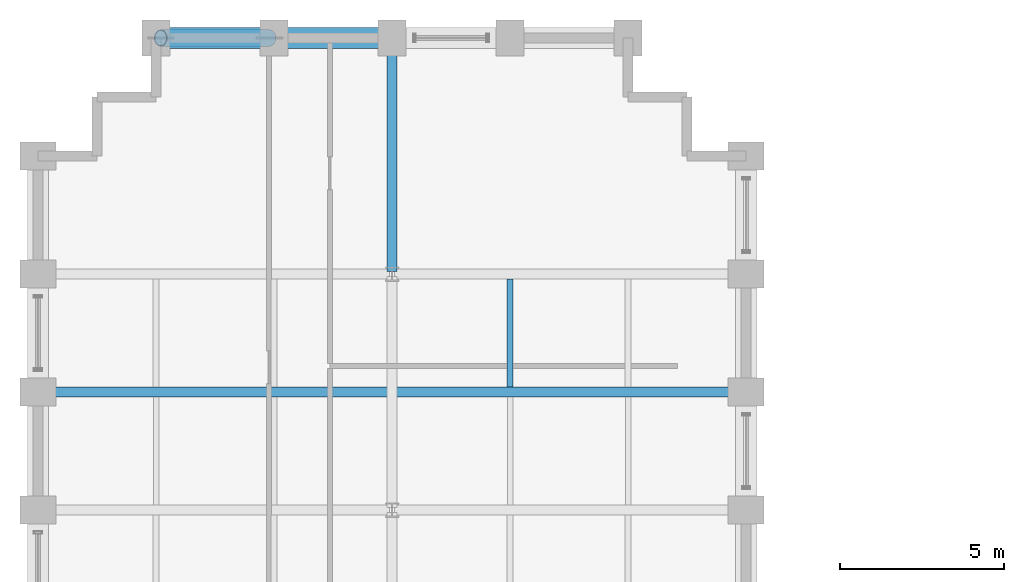
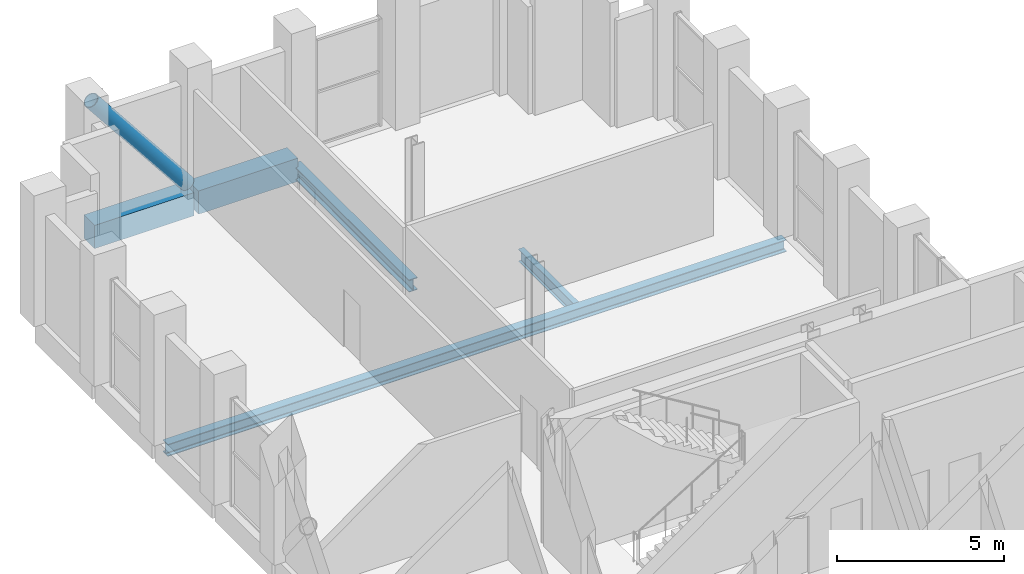
# One storey, part 15 of 22: 5 beams, 1 member.
"""IFC4 building model written with IfcOpenShell, lengths in metres."""

from ifc_helpers import new_model, si_unit, direction, frame, origin, origin_2d, place, context, subcontext, project, spatial, rectangle, hollow_circle, i_section, extrude, material, material_profile, profile_set, type_object, element, save


model = new_model("IFC4")

# Units and contexts
model_context = context("Model", 3, precision=1e-05, world=origin(), true_north=direction((0.0, 1.0)))
body_context = subcontext(model_context, "Body", "Model", "MODEL_VIEW")
ifc_project = project(units=[si_unit("LENGTHUNIT", "METRE"), si_unit("AREAUNIT", "SQUARE_METRE"), si_unit("VOLUMEUNIT", "CUBIC_METRE"), si_unit("PLANEANGLEUNIT", "RADIAN"), si_unit("MASSUNIT", "GRAM", prefix="KILO")], contexts=[model_context])

# Site, building, storey
site_placement = place(None, origin())
site = spatial("IfcSite", under=ifc_project, at=site_placement, CompositionType="ELEMENT")
building_placement = place(site_placement, origin())
building = spatial("IfcBuilding", under=site, at=building_placement, Name="Solnavia Interchange Tower", CompositionType="ELEMENT")
storey_placement = place(building_placement, frame((0.0, 0.0, 115.199951171875)))
storey = spatial("IfcBuildingStorey", under=building, at=storey_placement, Name="L28", CompositionType="ELEMENT", Elevation=115.199951171875)

# Beams
ifc_material_1 = material(Name="Steel S460", Category="steel")
ifc_material_profile_1 = material_profile(ifc_material_1, i_section(OverallWidth=0.300048828125, OverallDepth=0.449951171875, WebThickness=0.013916015625, FlangeThickness=0.02587890625, FilletRadius=0.027099609375, at=origin_2d()), Name="HEB 450")
ifc_profile_set_1 = profile_set([ifc_material_profile_1], Name="Steel S460")
beam_type_1 = type_object("IfcBeamType", Name="Beam-Girder-HEB450", PredefinedType="BEAM", material=ifc_profile_set_1)
beam_1_placement = place(storey_placement, frame((18.0, 39.679931640625, -0.544921875), z_axis=(0.0, 1.0, 0.0), x_axis=(-1.0, 0.0, 0.0)))
element("IfcBeam", 1, at=beam_1_placement, inside=storey, type_object=beam_type_1, Name="GRD-L28-NS13 North wing spine girder", PredefinedType="BEAM", context=body_context, shape_type="SweptSolid", body=[
    extrude(i_section(OverallWidth=0.300048828125, OverallDepth=0.449951171875, WebThickness=0.013916015625, FlangeThickness=0.02587890625, FilletRadius=0.027099609375, at=origin_2d()), origin(), (0.0, 0.0, 1.0), 7.0400390625),
])
ifc_material_2 = material(Name="Steel S355", Category="steel")
ifc_material_profile_2 = material_profile(ifc_material_2, i_section(OverallWidth=0.18994140625, OverallDepth=0.449951171875, WebThickness=0.009521484375, FlangeThickness=0.0146484375, FilletRadius=0.02099609375, at=origin_2d()), Name="IPE 450")
ifc_profile_set_2 = profile_set([ifc_material_profile_2], Name="Steel S355")
beam_type_2 = type_object("IfcBeamType", Name="Beam-Joist-IPE450", PredefinedType="JOIST", material=ifc_profile_set_2)
beam_2_placement = place(storey_placement, frame((21.60009765625, 36.14990234375, -0.544921875), z_axis=(0.0, 1.0, 0.0), x_axis=(-1.0, 0.0, 0.0)))
element("IfcBeam", 2, at=beam_2_placement, inside=storey, type_object=beam_type_2, Name="JST-L28-N25 North wing secondary joist", PredefinedType="JOIST", context=body_context, shape_type="SweptSolid", body=[
    extrude(i_section(OverallWidth=0.18994140625, OverallDepth=0.449951171875, WebThickness=0.009521484375, FlangeThickness=0.0146484375, FilletRadius=0.02099609375, at=origin_2d()), origin(), (0.0, 0.0, 1.0), 3.300048828125),
])
ifc_material_profile_3 = material_profile(ifc_material_2, i_section(OverallWidth=0.300048828125, OverallDepth=0.43994140625, WebThickness=0.011474609375, FlangeThickness=0.02099609375, FilletRadius=0.027099609375, at=origin_2d()), Name="HEA 450")
ifc_profile_set_3 = profile_set([ifc_material_profile_3], Name="Steel S355")
beam_type_3 = type_object("IfcBeamType", Name="Beam-Primary-HEA450", PredefinedType="BEAM", material=ifc_profile_set_3)
beam_3_placement = place(storey_placement, frame((7.280029296875, 36.0, -0.5400390625), z_axis=(1.0, 0.0, 0.0), x_axis=(0.0, 1.0, 0.0)))
element("IfcBeam", 3, at=beam_3_placement, inside=storey, type_object=beam_type_3, Name="GRD-L28-NW17 North wing primary floor girder", PredefinedType="BEAM", context=body_context, shape_type="SweptSolid", body=[
    extrude(i_section(OverallWidth=0.300048828125, OverallDepth=0.43994140625, WebThickness=0.011474609375, FlangeThickness=0.02099609375, FilletRadius=0.027099609375, at=origin_2d()), origin(), (0.0, 0.0, 1.0), 21.43994140625),
])
ifc_material_3 = material(Name="Concrete C50/60", Category="concrete")
ifc_material_profile_4 = material_profile(ifc_material_3, rectangle(XDim=0.64990234375, YDim=0.85009765625, at=origin_2d()), Name="RC 650x850")
ifc_profile_set_4 = profile_set([ifc_material_profile_4], Name="Concrete C50/60")
beam_type_4 = type_object("IfcBeamType", Name="Beam-Spandrel-RC650x850", PredefinedType="SPANDREL", material=ifc_profile_set_4)
beam_4_placement = place(storey_placement, frame((17.919921875, 46.800048828125, -0.425048828125), z_axis=(-1.0, 0.0, 0.0), x_axis=(0.0, -1.0, 0.0)))
element("IfcBeam", 4, at=beam_4_placement, inside=storey, type_object=beam_type_4, Name="SPB-L28-33 Framed-tube perimeter spandrel beam", PredefinedType="SPANDREL", context=body_context, shape_type="SweptSolid", body=[
    extrude(rectangle(XDim=0.64990234375, YDim=0.85009765625, at=origin_2d()), origin(), (0.0, 0.0, 1.0), 3.43994140625),
])
beam_5_placement = place(storey_placement, frame((14.320068359375, 46.800048828125, -0.425048828125), z_axis=(-1.0, 0.0, 0.0), x_axis=(0.0, -1.0, 0.0)))
element("IfcBeam", 5, at=beam_5_placement, inside=storey, type_object=beam_type_4, Name="SPB-L28-34 Framed-tube perimeter spandrel beam", PredefinedType="SPANDREL", context=body_context, shape_type="SweptSolid", body=[
    extrude(rectangle(XDim=0.64990234375, YDim=0.85009765625, at=origin_2d()), origin(), (0.0, 0.0, 1.0), 3.440185546875),
])

# Member
ifc_material_profile_5 = material_profile(ifc_material_1, hollow_circle(Radius=0.25390625, WallThickness=0.02490234375, at=origin_2d()), Name="CHS 508x25")
ifc_profile_set_5 = profile_set([ifc_material_profile_5], Name="Steel S460")
member_type = type_object("IfcMemberType", Name="Brace-Perim-CHS508", PredefinedType="BRACE", material=ifc_profile_set_5)
member_placement = place(storey_placement, frame((14.260009765625, 46.800048828125, 0.179931640625), z_axis=(-0.621029238576, 0.0, 0.783787397726), x_axis=(0.0, -1.0, 0.0)))
element("IfcMember", 6, at=member_placement, inside=storey, type_object=member_type, Name="BRC-L28-04 Perimeter tube diagonal brace", PredefinedType="BRACE", context=body_context, shape_type="SweptSolid", body=[
    extrude(hollow_circle(Radius=0.25390625, WallThickness=0.02490234375, at=origin_2d()), origin(), (0.0, 0.0, 1.0), 5.34619140625),
])

save(model, "model.ifc")
